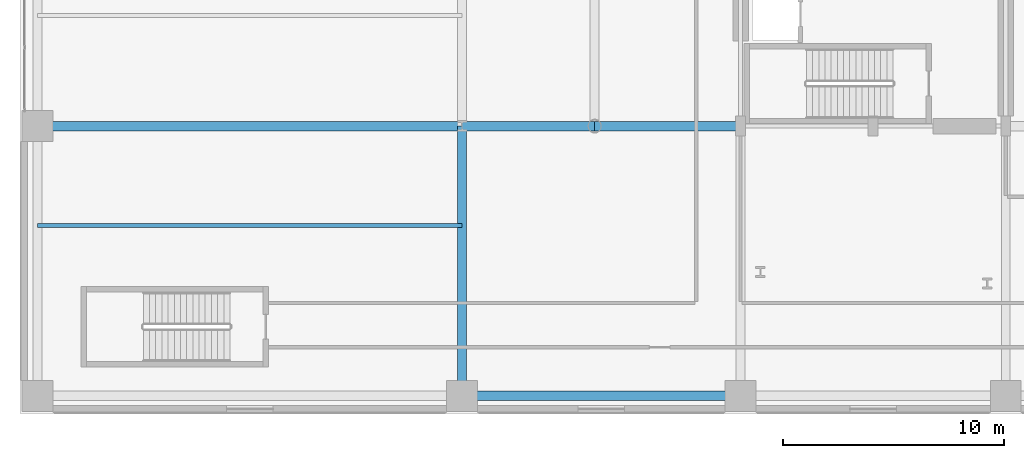
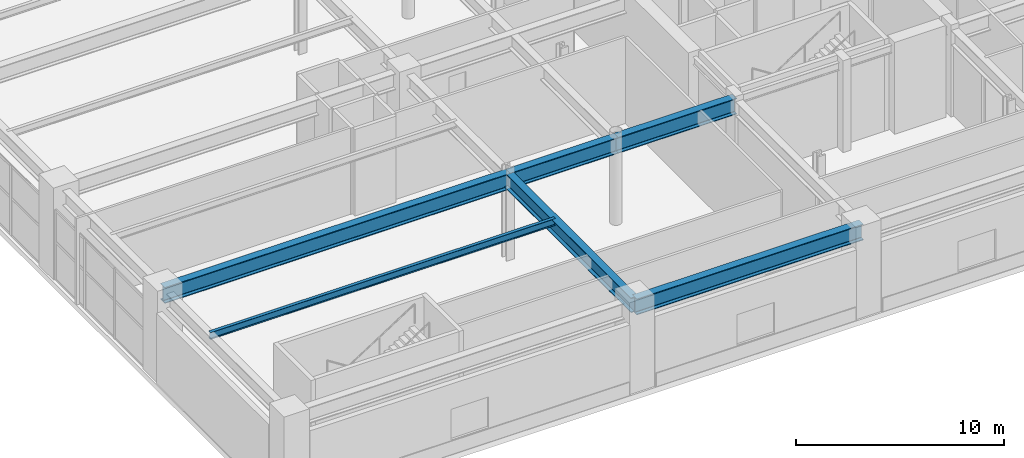
# One storey, part 6 of 28: 6 beams.
"""IFC4 building model written with IfcOpenShell, lengths in metres."""

import ifcopenshell
import ifcopenshell.guid

model = None  # the IFC model being written
_history = None  # IfcOwnerHistory: only IFC2X3 demands one
_inside = {}  # id of a spatial element -> (the spatial element, [elements in it])
_under = {}  # id of a project, library or spatial element -> (it, [spatial elements below it])
_declared = {}  # id of a project -> (the project, [libraries it declares])
_typed = {}  # id of a type object -> (the type object, [elements of that type])
_made_of = {}  # id of a material, layer set ... -> (it, [elements and type objects made of it])


def new_model(schema):
    """Start an empty IFC model of exactly this schema.

    Asked for "IFC4X3", IfcOpenShell would pick the latest addendum, in which some entities
    have other attributes; the version numbers below select the first issue.
    IFC2X3 requires an IfcOwnerHistory on every rooted entity: one is made here for all.
    """
    global model, _history
    if schema == "IFC4X3":
        model = ifcopenshell.file(schema_version=(4, 3, 0, 0))
    else:
        model = ifcopenshell.file(schema=schema)
    _inside.clear()
    _under.clear()
    _declared.clear()
    _typed.clear()
    _made_of.clear()
    _history = None
    if model.schema == "IFC2X3":
        org = make("IfcOrganization", Name="unknown")
        user = make(
            "IfcPersonAndOrganization",
            ThePerson=make("IfcPerson", FamilyName="unknown"),
            TheOrganization=org,
        )
        app = make(
            "IfcApplication",
            ApplicationDeveloper=org,
            Version="unknown",
            ApplicationFullName="unknown",
            ApplicationIdentifier="unknown",
        )
        _history = make(
            "IfcOwnerHistory",
            OwningUser=user,
            OwningApplication=app,
            ChangeAction="ADDED",
            CreationDate=0,
        )
    return model


def make(cls, **values):
    """One entity of the class cls with the attributes given. An attribute that is None is left unset."""
    return model.create_entity(
        cls, **{name: value for name, value in values.items() if value is not None}
    )


def rooted(cls, **values):
    """An entity with a GlobalId (a new one), such as an element, a storey or a relation."""
    return make(cls, GlobalId=ifcopenshell.guid.new(), OwnerHistory=_history, **values)


def si_unit(unit_type, name, prefix=None):
    """IfcSIUnit, for example si_unit("LENGTHUNIT", "METRE", prefix="MILLI")."""
    return make("IfcSIUnit", UnitType=unit_type, Prefix=prefix, Name=name)


def assignment(units):
    """IfcUnitAssignment: the units of a project."""
    return None if units is None else make("IfcUnitAssignment", Units=units)


def point(xyz):
    """IfcCartesianPoint."""
    return None if xyz is None else make("IfcCartesianPoint", Coordinates=xyz)


def direction(xyz):
    """IfcDirection."""
    return None if xyz is None else make("IfcDirection", DirectionRatios=xyz)


def frame(location, z_axis=None, x_axis=None):
    """IfcAxis2Placement3D, a coordinate frame: its origin and axes. An axis left out is left unset."""
    return make(
        "IfcAxis2Placement3D",
        Location=point(location),
        Axis=direction(z_axis),
        RefDirection=direction(x_axis),
    )


def frame_2d(location, x_axis=None):
    """IfcAxis2Placement2D, a coordinate frame in the plane: its origin and x axis."""
    return make(
        "IfcAxis2Placement2D", Location=point(location), RefDirection=direction(x_axis)
    )


def origin():
    """The frame at (0, 0, 0) with its axes left unset."""
    return frame((0.0, 0.0, 0.0))


def origin_2d():
    """The frame at (0, 0) in the plane with its x axis left unset."""
    return frame_2d((0.0, 0.0))


def place(relative_to, where):
    """IfcLocalPlacement: puts the frame where relative to a parent placement (None: the world)."""
    return make(
        "IfcLocalPlacement", PlacementRelTo=relative_to, RelativePlacement=where
    )


def context(
    kind, dimensions, precision=None, world=None, true_north=None, identifier=None
):
    """IfcGeometricRepresentationContext, for example the 3D "Model" context."""
    return make(
        "IfcGeometricRepresentationContext",
        ContextIdentifier=identifier,
        ContextType=kind,
        CoordinateSpaceDimension=dimensions,
        Precision=precision,
        WorldCoordinateSystem=world,
        TrueNorth=true_north,
    )


def subcontext(parent, identifier, kind, view, scale=None):
    """IfcGeometricRepresentationSubContext, for example "Body" below "Model"."""
    return make(
        "IfcGeometricRepresentationSubContext",
        ContextIdentifier=identifier,
        ContextType=kind,
        ParentContext=parent,
        TargetScale=scale,
        TargetView=view,
    )


def project(units=None, contexts=None):
    """IfcProject with its units and contexts."""
    return rooted(
        "IfcProject",
        Name="project",
        RepresentationContexts=contexts,
        UnitsInContext=assignment(units),
    )


def spatial(cls, under=None, at=None, **own):
    """A site, building, storey or space (cls), placed at a placement, below another one or the project."""
    s = rooted(cls, ObjectPlacement=at, **own)
    if under is not None:
        _under.setdefault(under.id(), (under, []))[1].append(s)
    return s


def profile(cls, at=None, kind="AREA", **sizes):
    """A parametric profile (cls). Its sizes go by their IFC names, for example OverallWidth=200.0."""
    return make(cls, ProfileType=kind, Position=at, **sizes)


def i_section(**sizes):
    """IfcIShapeProfileDef."""
    return profile("IfcIShapeProfileDef", **sizes)


def extrude(swept, where, along, depth):
    """IfcExtrudedAreaSolid: the profile swept, set in the frame where, extruded along a direction by depth."""
    return make(
        "IfcExtrudedAreaSolid",
        SweptArea=swept,
        Position=where,
        ExtrudedDirection=direction(along),
        Depth=depth,
    )


def shape(context_of_items, identifier, shape_type, items):
    """IfcShapeRepresentation: the items that make up one representation, for example the "Body"."""
    return make(
        "IfcShapeRepresentation",
        ContextOfItems=context_of_items,
        RepresentationIdentifier=identifier,
        RepresentationType=shape_type,
        Items=items,
    )


def material(Name=None, Category=None):
    """IfcMaterial."""
    return make("IfcMaterial", Name=Name, Category=Category)


def material_profile(
    of_material, cross_section, Name=None, Category=None, Priority=None
):
    """IfcMaterialProfile: a cross section and its material."""
    return make(
        "IfcMaterialProfile",
        Name=Name,
        Material=of_material,
        Profile=cross_section,
        Priority=Priority,
        Category=Category,
    )


def profile_set(profiles, Name=None, composite=None):
    """IfcMaterialProfileSet."""
    return make(
        "IfcMaterialProfileSet",
        Name=Name,
        MaterialProfiles=profiles,
        CompositeProfile=composite,
    )


def made_of(thing, what):
    """Note that an element or type object is made of a material, layer set ...; save() writes the relation."""
    if what is not None:
        _made_of.setdefault(what.id(), (what, []))[1].append(thing)
    return thing


def type_object(cls, material=None, **own):
    """A type object (cls), such as IfcWallType, which elements share."""
    return made_of(rooted(cls, **own), material)


def element(
    cls,
    number,
    at=None,
    inside=None,
    cuts=None,
    type_object=None,
    material=None,
    context=None,
    identifier="Body",
    shape_type=None,
    held_by="IfcProductDefinitionShape",
    body=None,
    shapes=None,
    **own,
):
    """One element of the class cls, such as IfcWall. Its Tag is "e" and its number.

    at: its placement. inside: the storey or other place that contains it. cuts: it is an
    opening in that element (IfcRelVoidsElement). A single representation is given by context,
    identifier, shape_type and body (its items); several are given by shapes. held_by: the class
    of the entity that holds the representations. save() writes the other relations.
    """
    e = rooted(cls, Tag="e%d" % number, ObjectPlacement=at, **own)
    if body is not None:
        shapes = [shape(context, identifier, shape_type, body)]
    if shapes is not None:
        e.Representation = make(held_by, Representations=shapes)
    if inside is not None:
        _inside.setdefault(inside.id(), (inside, []))[1].append(e)
    if cuts is not None:
        rooted(
            "IfcRelVoidsElement", RelatingBuildingElement=cuts, RelatedOpeningElement=e
        )
    if type_object is not None:
        _typed.setdefault(type_object.id(), (type_object, []))[1].append(e)
    return made_of(e, material)


def aggregate(whole, parts):
    """IfcRelAggregates: a whole, such as a stair, and the parts it consists of."""
    return rooted("IfcRelAggregates", RelatingObject=whole, RelatedObjects=parts)


def save(model, path):
    """Write the relations noted so far, then the file.

    IfcRelAggregates (storeys below a building ...), IfcRelContainedInSpatialStructure (elements
    in a storey), IfcRelDefinesByType, IfcRelAssociatesMaterial and IfcRelDeclares: one each for
    every whole, place, type object, material and project.
    """
    for whole, parts in _under.values():
        aggregate(whole, parts)
    for where, things in _inside.values():
        rooted(
            "IfcRelContainedInSpatialStructure",
            RelatedElements=things,
            RelatingStructure=where,
        )
    for kind, things in _typed.values():
        rooted("IfcRelDefinesByType", RelatedObjects=things, RelatingType=kind)
    for what, things in _made_of.values():
        rooted("IfcRelAssociatesMaterial", RelatedObjects=things, RelatingMaterial=what)
    for by, libraries in _declared.values():
        rooted("IfcRelDeclares", RelatingContext=by, RelatedDefinitions=libraries)
    model.write(path)


model = new_model("IFC4")

# Units and contexts
model_context = context("Model", 3, precision=1e-05, world=origin(), true_north=direction((0.0, 1.0)))
body_context = subcontext(model_context, "Body", "Model", "MODEL_VIEW")
ifc_project = project(units=[si_unit("LENGTHUNIT", "METRE"), si_unit("AREAUNIT", "SQUARE_METRE"), si_unit("VOLUMEUNIT", "CUBIC_METRE"), si_unit("PLANEANGLEUNIT", "RADIAN"), si_unit("MASSUNIT", "GRAM", prefix="KILO")], contexts=[model_context])

# Site, building, storey
site_placement = place(None, origin())
site = spatial("IfcSite", under=ifc_project, at=site_placement, CompositionType="ELEMENT")
building_placement = place(site_placement, origin())
building = spatial("IfcBuilding", under=site, at=building_placement, Name="Soratama Intermodal Tower", CompositionType="ELEMENT")
storey_placement = place(building_placement, frame((0.0, 0.0, 6.0)))
storey = spatial("IfcBuildingStorey", under=building, at=storey_placement, Name="L01", CompositionType="ELEMENT", Elevation=6.0)

# Beams
ifc_material_1 = material(Name="Structural steel ASTM A992 Grade 50", Category="steel")
ifc_material_profile_1 = material_profile(ifc_material_1, i_section(OverallWidth=0.177978515625, OverallDepth=0.406982421875, WebThickness=0.0078125, FlangeThickness=0.0126953125, FilletRadius=0.010009765625, at=origin_2d()), Name="W16X40")
ifc_profile_set_1 = profile_set([ifc_material_profile_1], Name="Structural steel ASTM A992 Grade 50")
beam_type_1 = type_object("IfcBeamType", Name="BM-JST-W16X40", PredefinedType="JOIST", material=ifc_profile_set_1)
beam_1_placement = place(storey_placement, frame((0.800048828125, 10.5, 4.87646484375), z_axis=(1.0, 0.0, 0.0), x_axis=(0.0, 1.0, 0.0)))
element("IfcBeam", 1, at=beam_1_placement, inside=storey, type_object=beam_type_1, Name="JST-L01-W1", PredefinedType="JOIST", context=body_context, shape_type="SweptSolid", body=[
    extrude(i_section(OverallWidth=0.177978515625, OverallDepth=0.406982421875, WebThickness=0.0078125, FlangeThickness=0.0126953125, FilletRadius=0.010009765625, at=origin_2d()), origin(), (0.0, 0.0, 1.0), 19.199951171875),
])
ifc_material_2 = material(Name="Structural steel ASTM A992 Grade 50", Category="steel")
ifc_material_profile_2 = material_profile(ifc_material_2, i_section(OverallWidth=0.423095703125, OverallDepth=0.93896484375, WebThickness=0.02392578125, FlangeThickness=0.042724609375, FilletRadius=0.02392578125, at=origin_2d()), Name="W36X302")
ifc_profile_set_2 = profile_set([ifc_material_profile_2], Name="Structural steel ASTM A992 Grade 50")
beam_type_2 = type_object("IfcBeamType", Name="BM-POD-EXT-W36", PredefinedType="BEAM", material=ifc_profile_set_2)
beam_2_placement = place(storey_placement, frame((20.0, 2.800048828125, 4.610595703125), z_axis=(1.0, 0.0, 0.0), x_axis=(0.0, 1.0, 0.0)))
element("IfcBeam", 2, at=beam_2_placement, inside=storey, type_object=beam_type_2, Name="L01 Station Girder X1-2", PredefinedType="BEAM", context=body_context, shape_type="SweptSolid", body=[
    extrude(i_section(OverallWidth=0.423095703125, OverallDepth=0.93896484375, WebThickness=0.02392578125, FlangeThickness=0.042724609375, FilletRadius=0.02392578125, at=origin_2d()), origin(), (0.0, 0.0, 1.0), 12.60009765625),
])
ifc_material_3 = material(Name="Structural steel ASTM A992 Grade 50", Category="steel")
ifc_material_profile_3 = material_profile(ifc_material_3, i_section(OverallWidth=0.403076171875, OverallDepth=0.867919921875, WebThickness=0.02099609375, FlangeThickness=0.03564453125, FilletRadius=0.01806640625, at=origin_2d()), Name="W33X241")
ifc_profile_set_3 = profile_set([ifc_material_profile_3], Name="Structural steel ASTM A992 Grade 50")
beam_type_3 = type_object("IfcBeamType", Name="BM-POD-W33X241", PredefinedType="BEAM", material=ifc_profile_set_3)
beam_3_placement = place(storey_placement, frame((20.0, 2.800048828125, 4.64599609375), z_axis=(0.0, 1.0, 0.0), x_axis=(-1.0, 0.0, 0.0)))
element("IfcBeam", 3, at=beam_3_placement, inside=storey, type_object=beam_type_3, Name="L01 Station Girder Y2-1", PredefinedType="BEAM", context=body_context, shape_type="SweptSolid", body=[
    extrude(i_section(OverallWidth=0.403076171875, OverallDepth=0.867919921875, WebThickness=0.02099609375, FlangeThickness=0.03564453125, FilletRadius=0.01806640625, at=origin_2d()), origin(), (0.0, 0.0, 1.0), 12.199951171875),
])
ifc_material_4 = material(Name="Structural steel ASTM A992 Grade 50", Category="steel")
ifc_material_profile_4 = material_profile(ifc_material_4, i_section(OverallWidth=0.423095703125, OverallDepth=0.93896484375, WebThickness=0.02392578125, FlangeThickness=0.042724609375, FilletRadius=0.02392578125, at=origin_2d()), Name="W36X302")
ifc_profile_set_4 = profile_set([ifc_material_profile_4], Name="Structural steel ASTM A992 Grade 50")
beam_type_4 = type_object("IfcBeamType", Name="BM-POD-W36X302", PredefinedType="BEAM", material=ifc_profile_set_4)
beam_4_placement = place(storey_placement, frame((0.800048828125, 15.0, 4.610595703125), z_axis=(1.0, 0.0, 0.0), x_axis=(0.0, 1.0, 0.0)))
element("IfcBeam", 4, at=beam_4_placement, inside=storey, type_object=beam_type_4, Name="L01 Station Girder X2-1", PredefinedType="BEAM", context=body_context, shape_type="SweptSolid", body=[
    extrude(i_section(OverallWidth=0.423095703125, OverallDepth=0.93896484375, WebThickness=0.02392578125, FlangeThickness=0.042724609375, FilletRadius=0.02392578125, at=origin_2d()), origin(), (0.0, 0.0, 1.0), 19.199951171875),
])
beam_5_placement = place(storey_placement, frame((20.0, 15.0, 4.610595703125), z_axis=(1.0, 0.0, 0.0), x_axis=(0.0, 1.0, 0.0)))
element("IfcBeam", 5, at=beam_5_placement, inside=storey, type_object=beam_type_4, Name="L01 Station Girder X2-2", PredefinedType="BEAM", context=body_context, shape_type="SweptSolid", body=[
    extrude(i_section(OverallWidth=0.423095703125, OverallDepth=0.93896484375, WebThickness=0.02392578125, FlangeThickness=0.042724609375, FilletRadius=0.02392578125, at=origin_2d()), origin(), (0.0, 0.0, 1.0), 6.0),
])
beam_6_placement = place(storey_placement, frame((26.0, 15.0, 4.610595703125), z_axis=(1.0, 0.0, 0.0), x_axis=(0.0, 1.0, 0.0)))
element("IfcBeam", 6, at=beam_6_placement, inside=storey, type_object=beam_type_4, Name="L01 Station Girder X2-3", PredefinedType="BEAM", context=body_context, shape_type="SweptSolid", body=[
    extrude(i_section(OverallWidth=0.423095703125, OverallDepth=0.93896484375, WebThickness=0.02392578125, FlangeThickness=0.042724609375, FilletRadius=0.02392578125, at=origin_2d()), origin(), (0.0, 0.0, 1.0), 6.60009765625),
])

save(model, "model.ifc")
